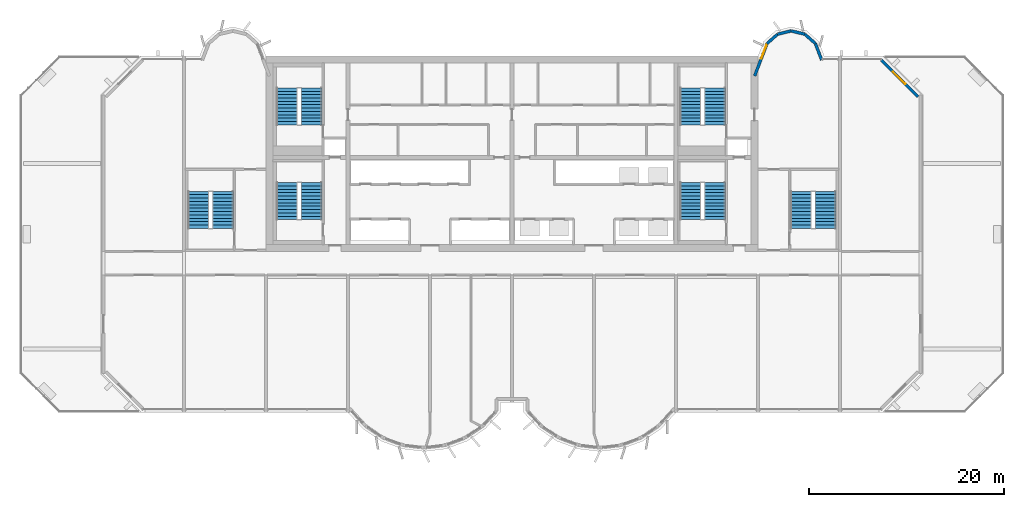
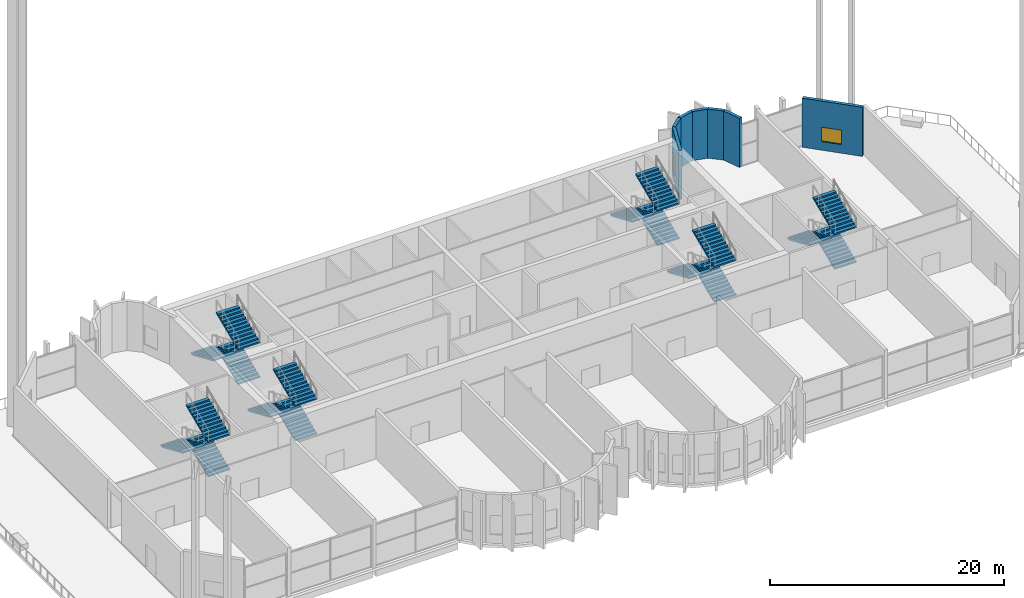
# One storey, part 15 of 19: 18 stair flights, 7 walls, 2 windows, 2 openings, 6 elements without a shape of their own.
"""IFC4 building model written with IfcOpenShell, lengths in metres."""

from ifc_helpers import new_model, si_unit, direction, frame, frame_2d, origin, place, context, subcontext, project, spatial, polyline, rectangle, outline, extrude, source, transform, mapped, material, layer, layer_set, type_object, element, fill, aggregate, save


model = new_model("IFC4")

# Units and contexts
model_context = context("Model", 3, precision=1e-05, world=origin(), true_north=direction((0.0, 1.0)))
body_context = subcontext(model_context, "Body", "Model", "MODEL_VIEW")
ifc_project = project(units=[si_unit("LENGTHUNIT", "METRE"), si_unit("AREAUNIT", "SQUARE_METRE"), si_unit("VOLUMEUNIT", "CUBIC_METRE"), si_unit("PLANEANGLEUNIT", "RADIAN"), si_unit("MASSUNIT", "GRAM", prefix="KILO")], contexts=[model_context])

# Site, building, storey
site_placement = place(None, origin())
site = spatial("IfcSite", under=ifc_project, at=site_placement, CompositionType="ELEMENT")
building_placement = place(site_placement, origin())
building = spatial("IfcBuilding", under=site, at=building_placement, Name="Vanashikhar Sky Hotel", CompositionType="ELEMENT")
storey_placement = place(building_placement, frame((0.0, 0.0, 146.199951171875)))
storey = spatial("IfcBuildingStorey", under=building, at=storey_placement, Name="L35", CompositionType="ELEMENT", Elevation=146.199951171875)

# Walls
ifc_material_1 = material(Name="Concrete M50", Category="concrete")
ifc_layer = layer(ifc_material_1, 0.300048828125)
ifc_layer_set = layer_set([ifc_layer], Name="Lobe wall 300")
wall_type = type_object("IfcWallType", Name="Lobe wall 300", PredefinedType="SOLIDWALL", material=ifc_layer_set)
shared_shape_1 = source(origin(), body_context, "Body", "SweptSolid", [
    extrude(rectangle(XDim=1.81201171875, YDim=0.300048828125, at=frame_2d((0.906005859375, 0.0))), origin(), (0.0, 0.0, 1.0), 5.1201171875),
])
wall_1_placement = place(storey_placement, frame((82.125, 41.60009765625, 0.0), z_axis=(0.0, 0.0, 1.0), x_axis=(-0.357877270961, 0.93376863244, 0.0)))
element("IfcWall", 1, at=wall_1_placement, inside=storey, type_object=wall_type, Name="Lobe wall", PredefinedType="SOLIDWALL", context=body_context, shape_type="MappedRepresentation", body=[
    mapped(shared_shape_1, transform((0.0, 0.0, 0.0), scale=1.0)),
])
shared_shape_2 = source(origin(), body_context, "Body", "SweptSolid", [
    extrude(rectangle(XDim=1.43994140625, YDim=0.300048828125, at=frame_2d((0.719970703125, 0.0))), origin(), (0.0, 0.0, 1.0), 5.1201171875),
])
for number, where, z_axis, x_axis, name in (
    (2, (81.4765625, 43.2919921875, 0.0), (0.0, 0.0, 1.0), (-0.74957555648, 0.661918790432, 0.0), "Lobe wall"),
    (3, (77.602783203125, 44.2451171875, 0.0), (0.0, 0.0, 1.0), (-0.74957555648, -0.661918790432, 0.0), "Lobe wall"),
):
    element("IfcWall", number, at=place(storey_placement, frame(where, z_axis=z_axis, x_axis=x_axis)), inside=storey, type_object=wall_type, Name=name, PredefinedType="SOLIDWALL", context=body_context, shape_type="MappedRepresentation", body=[
        mapped(shared_shape_2, transform((0.0, 0.0, 0.0), scale=1.0)),
    ])
shared_shape_3 = source(origin(), body_context, "Body", "SweptSolid", [
    extrude(rectangle(XDim=1.438720703125, YDim=0.300048828125, at=frame_2d((0.71923828125, 0.0))), origin(), (0.0, 0.0, 1.0), 5.1201171875),
])
for number, where, z_axis, x_axis, name in (
    (4, (80.397216796875, 44.2451171875, 0.0), (0.0, 0.0, 1.0), (-0.971161932466, 0.238420848351, 0.0), "Lobe wall"),
    (5, (79.0, 44.588134765625, 0.0), (0.0, 0.0, 1.0), (-0.971161932466, -0.238420848351, 0.0), "Lobe wall"),
):
    element("IfcWall", number, at=place(storey_placement, frame(where, z_axis=z_axis, x_axis=x_axis)), inside=storey, type_object=wall_type, Name=name, PredefinedType="SOLIDWALL", context=body_context, shape_type="MappedRepresentation", body=[
        mapped(shared_shape_3, transform((0.0, 0.0, 0.0), scale=1.0)),
    ])

# Wall, opening, window
shared_shape_4 = source(origin(), body_context, "Body", "SweptSolid", [
    extrude(rectangle(XDim=5.32568359375, YDim=0.300048828125, at=frame_2d((2.662841796875, 0.0))), origin(), (0.0, 0.0, 1.0), 5.1201171875),
])
wall_2_placement = place(storey_placement, frame((92.0, 37.834228515625, 0.0), z_axis=(0.0, 0.0, 1.0), x_axis=(-0.707083859269, 0.707129702361, 0.0)))
wall_2 = element("IfcWall", 6, at=wall_2_placement, inside=storey, type_object=wall_type, Name="Corner wall", PredefinedType="SOLIDWALL", context=body_context, shape_type="MappedRepresentation", body=[
    mapped(shared_shape_4, transform((0.0, 0.0, 0.0), scale=1.0)),
])
shared_shape_5 = source(origin(), body_context, "Body", "SweptSolid", [
    extrude(rectangle(XDim=1.800048828125, YDim=1.5, at=frame_2d((0.89990234375, 0.75))), frame((0.0, 0.16015625, 0.0), z_axis=(0.0, -1.0, 0.0), x_axis=(1.0, 0.0, 0.0)), (0.0, 0.0, 1.0), 0.320068359375),
])
opening_1_placement = place(wall_2_placement, frame((1.8359375, 0.0, 0.89990234375)))
opening_1 = element("IfcOpeningElement", 7, at=opening_1_placement, cuts=wall_2, Name="Opening WN-4", PredefinedType="OPENING", context=body_context, shape_type="MappedRepresentation", body=[
    mapped(shared_shape_5, transform((0.0, 0.0, 0.0), scale=1.0)),
])
ifc_material_2 = material(Name="Glass", Category="glass")
window_type_1 = type_object("IfcWindowType", Name="Corner window 1800 x 1500", PartitioningType="SINGLE_PANEL", PredefinedType="WINDOW", material=ifc_material_2)
shared_shape_6 = source(origin(), body_context, "Body", "SweptSolid", [
    extrude(rectangle(XDim=1.800048828125, YDim=1.5, at=frame_2d((0.89990234375, 0.75))), frame((0.0, 0.030029296875, 0.0), z_axis=(0.0, -1.0, 0.0), x_axis=(1.0, 0.0, 0.0)), (0.0, 0.0, 1.0), 0.06005859375),
])
window_1_placement = place(opening_1_placement, origin())
window_1 = element("IfcWindow", 8, at=window_1_placement, inside=storey, type_object=window_type_1, Name="Window WN-4", OverallHeight=1.5, OverallWidth=1.800048828125, PartitioningType="SINGLE_PANEL", PredefinedType="WINDOW", context=body_context, shape_type="MappedRepresentation", body=[
    mapped(shared_shape_6, transform((0.0, 0.0, 0.0), scale=1.0)),
])
fill(opening_1, window_1)

shared_shape_7 = source(origin(), body_context, "Body", "SweptSolid", [
    extrude(rectangle(XDim=3.55908203125, YDim=0.300048828125, at=frame_2d((1.779541015625, 0.0))), origin(), (0.0, 0.0, 1.0), 5.1201171875),
])
wall_3_placement = place(storey_placement, frame((76.5234375, 43.2919921875, 0.0), z_axis=(0.0, 0.0, 1.0), x_axis=(-0.35779745313, -0.933799219604, 0.0)))
wall_3 = element("IfcWall", 9, at=wall_3_placement, inside=storey, type_object=wall_type, Name="Lobe wall", PredefinedType="SOLIDWALL", context=body_context, shape_type="MappedRepresentation", body=[
    mapped(shared_shape_7, transform((0.0, 0.0, 0.0), scale=1.0)),
])
shared_shape_8 = source(origin(), body_context, "Body", "SweptSolid", [
    extrude(rectangle(XDim=1.5, YDim=2.0, at=frame_2d((0.75, 1.0))), frame((0.0, 0.16015625, 0.0), z_axis=(0.0, -1.0, 0.0), x_axis=(1.0, 0.0, 0.0)), (0.0, 0.0, 1.0), 0.320068359375),
])
opening_2_placement = place(wall_3_placement, frame((0.156005859375, 0.0, 0.89990234375)))
opening_2 = element("IfcOpeningElement", 10, at=opening_2_placement, cuts=wall_3, Name="Opening WN-2", PredefinedType="OPENING", context=body_context, shape_type="MappedRepresentation", body=[
    mapped(shared_shape_8, transform((0.0, 0.0, 0.0), scale=1.0)),
])
window_type_2 = type_object("IfcWindowType", Name="Lobe window 1500 x 2000", PartitioningType="SINGLE_PANEL", PredefinedType="WINDOW", material=ifc_material_2)
shared_shape_9 = source(origin(), body_context, "Body", "SweptSolid", [
    extrude(rectangle(XDim=1.5, YDim=2.0, at=frame_2d((0.75, 1.0))), frame((0.0, 0.030029296875, 0.0), z_axis=(0.0, -1.0, 0.0), x_axis=(1.0, 0.0, 0.0)), (0.0, 0.0, 1.0), 0.06005859375),
])
window_2_placement = place(opening_2_placement, origin())
window_2 = element("IfcWindow", 11, at=window_2_placement, inside=storey, type_object=window_type_2, Name="Window WN-2", OverallHeight=2.0, OverallWidth=1.5, PartitioningType="SINGLE_PANEL", PredefinedType="WINDOW", context=body_context, shape_type="MappedRepresentation", body=[
    mapped(shared_shape_9, transform((0.0, 0.0, 0.0), scale=1.0)),
])
fill(opening_2, window_2)

# Stair, stair flights
ifc_material_3 = material(Name="Concrete M40", Category="concrete")
stair_type = type_object("IfcStairType", Name="Exit stair 2150", PredefinedType="DOUBLE_RETURN_STAIR", material=ifc_material_3)
stair_1_placement = place(storey_placement, origin())
stair_1 = element("IfcStair", 12, at=stair_1_placement, inside=storey, type_object=stair_type, Name="L35 Exit stair 1", PredefinedType="DOUBLE_RETURN_STAIR")
stair_flight_type = type_object("IfcStairFlightType", Name="Stair flight 2150", PredefinedType="STRAIGHT", material=ifc_material_3)
shared_shape_10 = source(origin(), body_context, "Body", "SweptSolid", [
    extrude(outline(polyline([(0.0, 0.0), (0.0, 0.14990234375), (0.345458984375, 0.14990234375), (0.345458984375, 0.300048828125), (0.69091796875, 0.300048828125), (0.69091796875, 0.449951171875), (1.036376953125, 0.449951171875), (1.036376953125, 0.60009765625), (1.3818359375, 0.60009765625), (1.3818359375, 0.75), (1.727294921875, 0.75), (1.727294921875, 0.89990234375), (2.07275390625, 0.89990234375), (2.07275390625, 1.050048828125), (2.418212890625, 1.050048828125), (2.418212890625, 1.199951171875), (2.763671875, 1.199951171875), (2.763671875, 1.35009765625), (3.109130859375, 1.35009765625), (3.109130859375, 1.5), (3.45458984375, 1.5), (3.45458984375, 1.64990234375), (3.800048828125, 1.64990234375), (3.800048828125, 1.800048828125), (3.800048828125, 1.51904296875), (0.301513671875, 0.0), (0.0, 0.0)])), frame((0.0, 1.074951171875, 0.0), z_axis=(0.0, -1.0, 0.0), x_axis=(1.0, 0.0, 0.0)), (0.0, 0.0, 1.0), 2.14990234375),
])
stair_flight_1_placement = place(storey_placement, frame((29.875, 25.25, 0.0), z_axis=(0.0, 0.0, 1.0), x_axis=(0.0, 1.0, 0.0)))
stair_flight_1 = element("IfcStairFlight", 13, at=stair_flight_1_placement, type_object=stair_flight_type, Name="ST-C1 flight 1", NumberOfRisers=12, NumberOfTreads=11, PredefinedType="STRAIGHT", RiserHeight=0.15, TreadLength=0.345454545, context=body_context, shape_type="MappedRepresentation", body=[
    mapped(shared_shape_10, transform((0.0, 0.0, 0.0), scale=1.0)),
])
stair_flight_2_placement = place(storey_placement, frame((27.375, 29.050048828125, 1.800048828125), z_axis=(0.0, 0.0, 1.0), x_axis=(0.0, -1.0, 0.0)))
stair_flight_2 = element("IfcStairFlight", 14, at=stair_flight_2_placement, type_object=stair_flight_type, Name="ST-C1 flight 2", NumberOfRisers=12, NumberOfTreads=11, PredefinedType="STRAIGHT", RiserHeight=0.15, TreadLength=0.345454545, context=body_context, shape_type="MappedRepresentation", body=[
    mapped(shared_shape_10, transform((0.0, 0.0, 0.0), scale=1.0)),
])
stair_flight_3_placement = place(storey_placement, frame((29.875, 25.25, 3.60009765625), z_axis=(0.0, 0.0, 1.0), x_axis=(0.0, 1.0, 0.0)))
stair_flight_3 = element("IfcStairFlight", 15, at=stair_flight_3_placement, type_object=stair_flight_type, Name="ST-C1 flight 3", NumberOfRisers=12, NumberOfTreads=11, PredefinedType="STRAIGHT", RiserHeight=0.15, TreadLength=0.345454545, context=body_context, shape_type="MappedRepresentation", body=[
    mapped(shared_shape_10, transform((0.0, 0.0, 0.0), scale=1.0)),
])
aggregate(stair_1, [stair_flight_1, stair_flight_2, stair_flight_3])

stair_2_placement = place(storey_placement, origin())
stair_2 = element("IfcStair", 16, at=stair_2_placement, inside=storey, type_object=stair_type, Name="L35 Exit stair 2", PredefinedType="DOUBLE_RETURN_STAIR")
stair_flight_4_placement = place(storey_placement, frame((71.175048828125, 25.25, 0.0), z_axis=(0.0, 0.0, 1.0), x_axis=(0.0, 1.0, 0.0)))
stair_flight_4 = element("IfcStairFlight", 17, at=stair_flight_4_placement, type_object=stair_flight_type, Name="ST-C2 flight 1", NumberOfRisers=12, NumberOfTreads=11, PredefinedType="STRAIGHT", RiserHeight=0.15, TreadLength=0.345454545, context=body_context, shape_type="MappedRepresentation", body=[
    mapped(shared_shape_10, transform((0.0, 0.0, 0.0), scale=1.0)),
])
stair_flight_5_placement = place(storey_placement, frame((68.675048828125, 29.050048828125, 1.800048828125), z_axis=(0.0, 0.0, 1.0), x_axis=(0.0, -1.0, 0.0)))
stair_flight_5 = element("IfcStairFlight", 18, at=stair_flight_5_placement, type_object=stair_flight_type, Name="ST-C2 flight 2", NumberOfRisers=12, NumberOfTreads=11, PredefinedType="STRAIGHT", RiserHeight=0.15, TreadLength=0.345454545, context=body_context, shape_type="MappedRepresentation", body=[
    mapped(shared_shape_10, transform((0.0, 0.0, 0.0), scale=1.0)),
])
stair_flight_6_placement = place(storey_placement, frame((71.175048828125, 25.25, 3.60009765625), z_axis=(0.0, 0.0, 1.0), x_axis=(0.0, 1.0, 0.0)))
stair_flight_6 = element("IfcStairFlight", 19, at=stair_flight_6_placement, type_object=stair_flight_type, Name="ST-C2 flight 3", NumberOfRisers=12, NumberOfTreads=11, PredefinedType="STRAIGHT", RiserHeight=0.15, TreadLength=0.345454545, context=body_context, shape_type="MappedRepresentation", body=[
    mapped(shared_shape_10, transform((0.0, 0.0, 0.0), scale=1.0)),
])
aggregate(stair_2, [stair_flight_4, stair_flight_5, stair_flight_6])

stair_3_placement = place(storey_placement, origin())
stair_3 = element("IfcStair", 20, at=stair_3_placement, inside=storey, type_object=stair_type, Name="L35 Exit stair 3", PredefinedType="DOUBLE_RETURN_STAIR")
stair_flight_7_placement = place(storey_placement, frame((20.77490234375, 24.35009765625, 0.0), z_axis=(0.0, 0.0, 1.0), x_axis=(0.0, 1.0, 0.0)))
stair_flight_7 = element("IfcStairFlight", 21, at=stair_flight_7_placement, type_object=stair_flight_type, Name="ST-W flight 1", NumberOfRisers=12, NumberOfTreads=11, PredefinedType="STRAIGHT", RiserHeight=0.15, TreadLength=0.345454545, context=body_context, shape_type="MappedRepresentation", body=[
    mapped(shared_shape_10, transform((0.0, 0.0, 0.0), scale=1.0)),
])
stair_flight_8_placement = place(storey_placement, frame((18.27490234375, 28.14990234375, 1.800048828125), z_axis=(0.0, 0.0, 1.0), x_axis=(0.0, -1.0, 0.0)))
stair_flight_8 = element("IfcStairFlight", 22, at=stair_flight_8_placement, type_object=stair_flight_type, Name="ST-W flight 2", NumberOfRisers=12, NumberOfTreads=11, PredefinedType="STRAIGHT", RiserHeight=0.15, TreadLength=0.345454545, context=body_context, shape_type="MappedRepresentation", body=[
    mapped(shared_shape_10, transform((0.0, 0.0, 0.0), scale=1.0)),
])
stair_flight_9_placement = place(storey_placement, frame((20.77490234375, 24.35009765625, 3.60009765625), z_axis=(0.0, 0.0, 1.0), x_axis=(0.0, 1.0, 0.0)))
stair_flight_9 = element("IfcStairFlight", 23, at=stair_flight_9_placement, type_object=stair_flight_type, Name="ST-W flight 3", NumberOfRisers=12, NumberOfTreads=11, PredefinedType="STRAIGHT", RiserHeight=0.15, TreadLength=0.345454545, context=body_context, shape_type="MappedRepresentation", body=[
    mapped(shared_shape_10, transform((0.0, 0.0, 0.0), scale=1.0)),
])
aggregate(stair_3, [stair_flight_7, stair_flight_8, stair_flight_9])

stair_4_placement = place(storey_placement, origin())
stair_4 = element("IfcStair", 24, at=stair_4_placement, inside=storey, type_object=stair_type, Name="L35 Exit stair 4", PredefinedType="DOUBLE_RETURN_STAIR")
stair_flight_10_placement = place(storey_placement, frame((82.52490234375, 24.35009765625, 0.0), z_axis=(0.0, 0.0, 1.0), x_axis=(0.0, 1.0, 0.0)))
stair_flight_10 = element("IfcStairFlight", 25, at=stair_flight_10_placement, type_object=stair_flight_type, Name="ST-E flight 1", NumberOfRisers=12, NumberOfTreads=11, PredefinedType="STRAIGHT", RiserHeight=0.15, TreadLength=0.345454545, context=body_context, shape_type="MappedRepresentation", body=[
    mapped(shared_shape_10, transform((0.0, 0.0, 0.0), scale=1.0)),
])
stair_flight_11_placement = place(storey_placement, frame((80.02490234375, 28.14990234375, 1.800048828125), z_axis=(0.0, 0.0, 1.0), x_axis=(0.0, -1.0, 0.0)))
stair_flight_11 = element("IfcStairFlight", 26, at=stair_flight_11_placement, type_object=stair_flight_type, Name="ST-E flight 2", NumberOfRisers=12, NumberOfTreads=11, PredefinedType="STRAIGHT", RiserHeight=0.15, TreadLength=0.345454545, context=body_context, shape_type="MappedRepresentation", body=[
    mapped(shared_shape_10, transform((0.0, 0.0, 0.0), scale=1.0)),
])
stair_flight_12_placement = place(storey_placement, frame((82.52490234375, 24.35009765625, 3.60009765625), z_axis=(0.0, 0.0, 1.0), x_axis=(0.0, 1.0, 0.0)))
stair_flight_12 = element("IfcStairFlight", 27, at=stair_flight_12_placement, type_object=stair_flight_type, Name="ST-E flight 3", NumberOfRisers=12, NumberOfTreads=11, PredefinedType="STRAIGHT", RiserHeight=0.15, TreadLength=0.345454545, context=body_context, shape_type="MappedRepresentation", body=[
    mapped(shared_shape_10, transform((0.0, 0.0, 0.0), scale=1.0)),
])
aggregate(stair_4, [stair_flight_10, stair_flight_11, stair_flight_12])

stair_5_placement = place(storey_placement, origin())
stair_5 = element("IfcStair", 28, at=stair_5_placement, inside=storey, type_object=stair_type, Name="L35 Exit stair 5", PredefinedType="DOUBLE_RETURN_STAIR")
stair_flight_13_placement = place(storey_placement, frame((29.875, 34.949951171875, 0.0), z_axis=(0.0, 0.0, 1.0), x_axis=(0.0, 1.0, 0.0)))
stair_flight_13 = element("IfcStairFlight", 29, at=stair_flight_13_placement, type_object=stair_flight_type, Name="ST-C3 flight 1", NumberOfRisers=12, NumberOfTreads=11, PredefinedType="STRAIGHT", RiserHeight=0.15, TreadLength=0.345454545, context=body_context, shape_type="MappedRepresentation", body=[
    mapped(shared_shape_10, transform((0.0, 0.0, 0.0), scale=1.0)),
])
stair_flight_14_placement = place(storey_placement, frame((27.375, 38.75, 1.800048828125), z_axis=(0.0, 0.0, 1.0), x_axis=(0.0, -1.0, 0.0)))
stair_flight_14 = element("IfcStairFlight", 30, at=stair_flight_14_placement, type_object=stair_flight_type, Name="ST-C3 flight 2", NumberOfRisers=12, NumberOfTreads=11, PredefinedType="STRAIGHT", RiserHeight=0.15, TreadLength=0.345454545, context=body_context, shape_type="MappedRepresentation", body=[
    mapped(shared_shape_10, transform((0.0, 0.0, 0.0), scale=1.0)),
])
stair_flight_15_placement = place(storey_placement, frame((29.875, 34.949951171875, 3.60009765625), z_axis=(0.0, 0.0, 1.0), x_axis=(0.0, 1.0, 0.0)))
stair_flight_15 = element("IfcStairFlight", 31, at=stair_flight_15_placement, type_object=stair_flight_type, Name="ST-C3 flight 3", NumberOfRisers=12, NumberOfTreads=11, PredefinedType="STRAIGHT", RiserHeight=0.15, TreadLength=0.345454545, context=body_context, shape_type="MappedRepresentation", body=[
    mapped(shared_shape_10, transform((0.0, 0.0, 0.0), scale=1.0)),
])
aggregate(stair_5, [stair_flight_13, stair_flight_14, stair_flight_15])

stair_6_placement = place(storey_placement, origin())
stair_6 = element("IfcStair", 32, at=stair_6_placement, inside=storey, type_object=stair_type, Name="L35 Exit stair 6", PredefinedType="DOUBLE_RETURN_STAIR")
stair_flight_16_placement = place(storey_placement, frame((71.175048828125, 34.949951171875, 0.0), z_axis=(0.0, 0.0, 1.0), x_axis=(0.0, 1.0, 0.0)))
stair_flight_16 = element("IfcStairFlight", 33, at=stair_flight_16_placement, type_object=stair_flight_type, Name="ST-C4 flight 1", NumberOfRisers=12, NumberOfTreads=11, PredefinedType="STRAIGHT", RiserHeight=0.15, TreadLength=0.345454545, context=body_context, shape_type="MappedRepresentation", body=[
    mapped(shared_shape_10, transform((0.0, 0.0, 0.0), scale=1.0)),
])
stair_flight_17_placement = place(storey_placement, frame((68.675048828125, 38.75, 1.800048828125), z_axis=(0.0, 0.0, 1.0), x_axis=(0.0, -1.0, 0.0)))
stair_flight_17 = element("IfcStairFlight", 34, at=stair_flight_17_placement, type_object=stair_flight_type, Name="ST-C4 flight 2", NumberOfRisers=12, NumberOfTreads=11, PredefinedType="STRAIGHT", RiserHeight=0.15, TreadLength=0.345454545, context=body_context, shape_type="MappedRepresentation", body=[
    mapped(shared_shape_10, transform((0.0, 0.0, 0.0), scale=1.0)),
])
stair_flight_18_placement = place(storey_placement, frame((71.175048828125, 34.949951171875, 3.60009765625), z_axis=(0.0, 0.0, 1.0), x_axis=(0.0, 1.0, 0.0)))
stair_flight_18 = element("IfcStairFlight", 35, at=stair_flight_18_placement, type_object=stair_flight_type, Name="ST-C4 flight 3", NumberOfRisers=12, NumberOfTreads=11, PredefinedType="STRAIGHT", RiserHeight=0.15, TreadLength=0.345454545, context=body_context, shape_type="MappedRepresentation", body=[
    mapped(shared_shape_10, transform((0.0, 0.0, 0.0), scale=1.0)),
])
aggregate(stair_6, [stair_flight_16, stair_flight_17, stair_flight_18])

save(model, "model.ifc")
